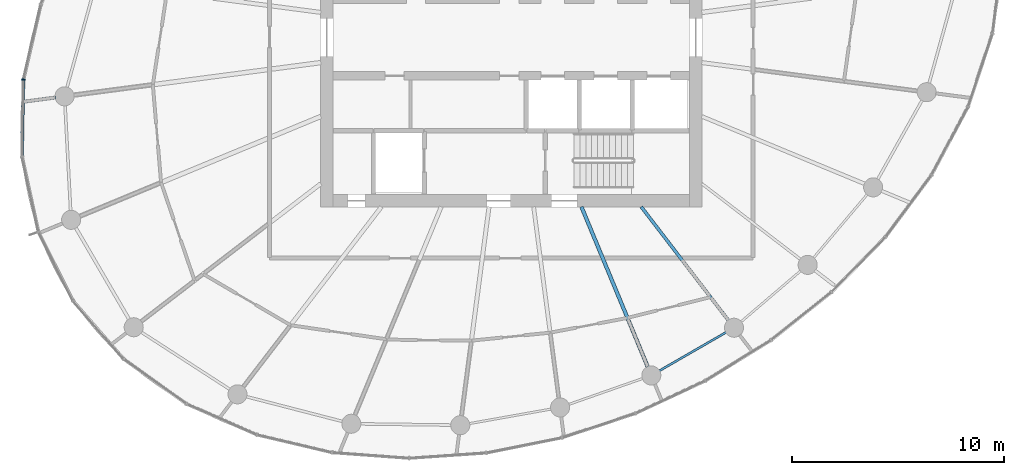
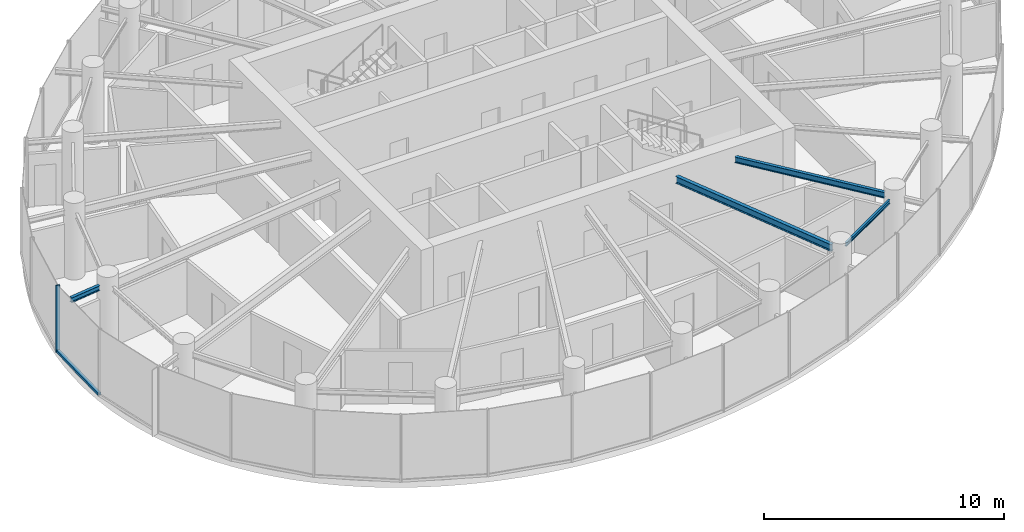
# One storey, part 3 of 14: 4 beams, 2 members, 1 element without a shape of its own.
"""IFC4 building model written with IfcOpenShell, lengths in metres."""

from ifc_helpers import new_model, si_unit, direction, frame, origin, origin_2d, place, context, subcontext, project, spatial, rectangle, i_section, extrude, source, transform, mapped, material, layer, layer_set, material_profile, profile_set, type_object, element, aggregate, save


model = new_model("IFC4")

# Units and contexts
model_context = context("Model", 3, precision=1e-05, world=origin(), true_north=direction((0.0, 1.0)))
body_context = subcontext(model_context, "Body", "Model", "MODEL_VIEW")
ifc_project = project(units=[si_unit("LENGTHUNIT", "METRE"), si_unit("AREAUNIT", "SQUARE_METRE"), si_unit("VOLUMEUNIT", "CUBIC_METRE"), si_unit("PLANEANGLEUNIT", "RADIAN"), si_unit("MASSUNIT", "GRAM", prefix="KILO")], contexts=[model_context])

# Site, building, storey
site_placement = place(None, origin())
site = spatial("IfcSite", under=ifc_project, at=site_placement, CompositionType="ELEMENT")
building_placement = place(site_placement, origin())
building = spatial("IfcBuilding", under=site, at=building_placement, Name="Spindrift Exchange Tower", CompositionType="ELEMENT")
storey_placement = place(building_placement, frame((0.0, 0.0, 226.699951171875)))
storey = spatial("IfcBuildingStorey", under=building, at=storey_placement, Name="L55", CompositionType="ELEMENT", Elevation=226.699951171875)

# Beams
ifc_material_1 = material(Name="Steel Grade 300", Category="steel")
ifc_material_profile_1 = material_profile(ifc_material_1, i_section(OverallWidth=0.1708984375, OverallDepth=0.35205078125, WebThickness=0.0068359375, FlangeThickness=0.009765625, FilletRadius=0.013916015625, at=origin_2d()), Name="360UB44.7")
ifc_profile_set_1 = profile_set([ifc_material_profile_1], Name="Steel Grade 300")
beam_type_1 = type_object("IfcBeamType", Name="Floor Beam 360UB44.7 Steel Grade 300", PredefinedType="BEAM", material=ifc_profile_set_1)
shared_shape_1 = source(origin(), body_context, "Body", "SweptSolid", [
    extrude(i_section(OverallWidth=0.1708984375, OverallDepth=0.35205078125, WebThickness=0.0068359375, FlangeThickness=0.009765625, FilletRadius=0.013916015625, at=origin_2d()), origin(), (0.0, 0.0, 1.0), 8.1748046875),
])
beam_1_placement = place(storey_placement, frame((55.30615234375, 40.0185546875, 3.22412109375), z_axis=(0.382655117626, -0.923891260352, 0.0), x_axis=(0.923891260352, 0.382655117626, 0.0)))
element("IfcBeam", 1, at=beam_1_placement, inside=storey, type_object=beam_type_1, Name="L55 radial beam R20A", PredefinedType="BEAM", context=body_context, shape_type="MappedRepresentation", body=[
    mapped(shared_shape_1, transform((0.0, 0.0, 0.0), scale=1.0)),
])
ifc_material_profile_2 = material_profile(ifc_material_1, i_section(OverallWidth=0.14892578125, OverallDepth=0.298095703125, WebThickness=0.005615234375, FlangeThickness=0.008056640625, FilletRadius=0.012939453125, at=origin_2d()), Name="310UB32.0")
ifc_profile_set_2 = profile_set([ifc_material_profile_2], Name="Steel Grade 300")
beam_type_2 = type_object("IfcBeamType", Name="Floor Beam 310UB32.0 Steel Grade 300", PredefinedType="BEAM", material=ifc_profile_set_2)
shared_shape_2 = source(origin(), body_context, "Body", "SweptSolid", [
    extrude(i_section(OverallWidth=0.14892578125, OverallDepth=0.298095703125, WebThickness=0.005615234375, FlangeThickness=0.008056640625, FilletRadius=0.012939453125, at=origin_2d()), origin(), (0.0, 0.0, 1.0), 6.753173828125),
])
beam_2_placement = place(storey_placement, frame((58.12646484375, 40.015869140625, 3.2509765625), z_axis=(0.608761639459, -0.793353178807, 0.0), x_axis=(0.793353178807, 0.608761639459, 0.0)))
element("IfcBeam", 2, at=beam_2_placement, inside=storey, type_object=beam_type_2, Name="L55 radial beam R21A", PredefinedType="BEAM", context=body_context, shape_type="MappedRepresentation", body=[
    mapped(shared_shape_2, transform((0.0, 0.0, 0.0), scale=1.0)),
])
ifc_material_profile_3 = material_profile(ifc_material_1, i_section(OverallWidth=0.09912109375, OverallDepth=0.197998046875, WebThickness=0.00439453125, FlangeThickness=0.007080078125, FilletRadius=0.010986328125, at=origin_2d()), Name="200UB18.2")
ifc_profile_set_3 = profile_set([ifc_material_profile_3], Name="Steel Grade 300")
beam_type_3 = type_object("IfcBeamType", Name="Edge Beam 200UB18.2 Steel Grade 300", PredefinedType="SPANDREL", material=ifc_profile_set_3)
shared_shape_3 = source(origin(), body_context, "Body", "SweptSolid", [
    extrude(i_section(OverallWidth=0.09912109375, OverallDepth=0.197998046875, WebThickness=0.00439453125, FlangeThickness=0.007080078125, FilletRadius=0.010986328125, at=origin_2d()), origin(), (0.0, 0.0, 1.0), 3.64208984375),
])
beam_3_placement = place(storey_placement, frame((58.971435546875, 32.283447265625, 3.301025390625), z_axis=(0.866364093123, 0.499412913476, 0.0), x_axis=(-0.499412913476, 0.866364093123, 0.0)))
element("IfcBeam", 3, at=beam_3_placement, inside=storey, type_object=beam_type_3, Name="L55 edge beam E20", PredefinedType="SPANDREL", context=body_context, shape_type="MappedRepresentation", body=[
    mapped(shared_shape_3, transform((0.0, 0.0, 0.0), scale=1.0)),
])
ifc_material_profile_4 = material_profile(ifc_material_1, i_section(OverallWidth=0.14599609375, OverallDepth=0.251953125, WebThickness=0.006103515625, FlangeThickness=0.008544921875, FilletRadius=0.011962890625, at=origin_2d()), Name="250UB31.4")
ifc_profile_set_4 = profile_set([ifc_material_profile_4], Name="Steel Grade 300")
beam_type_4 = type_object("IfcBeamType", Name="Cantilever Beam 250UB31.4 Steel Grade 300", PredefinedType="BEAM", material=ifc_profile_set_4)
shared_shape_4 = source(origin(), body_context, "Body", "SweptSolid", [
    extrude(i_section(OverallWidth=0.14599609375, OverallDepth=0.251953125, WebThickness=0.006103515625, FlangeThickness=0.008544921875, FilletRadius=0.011962890625, at=origin_2d()), origin(), (0.0, 0.0, 1.0), 1.505126953125),
])
beam_4_placement = place(storey_placement, frame((30.511474609375, 45.1708984375, 3.274169921875), z_axis=(-0.991458711995, -0.130420943136, 0.0), x_axis=(0.130420943136, -0.991458711995, 0.0)))
element("IfcBeam", 4, at=beam_4_placement, inside=storey, type_object=beam_type_4, Name="L55 cantilever beam R13T", PredefinedType="BEAM", context=body_context, shape_type="MappedRepresentation", body=[
    mapped(shared_shape_4, transform((0.0, 0.0, 0.0), scale=1.0)),
])

# Curtain wall, members
ifc_material_2 = material(Name="Fritted laminated glass with bronze frame", Category="glass")
ifc_layer = layer(ifc_material_2, 0.169921875)
ifc_layer_set = layer_set([ifc_layer], Name="ZONE 4 BRONZE FRITTED WALL")
curtain_wall_type = type_object("IfcCurtainWallType", Name="ZONE 4 BRONZE FRITTED WALL", PredefinedType="NOTDEFINED", material=ifc_layer_set)
curtain_wall_placement = place(storey_placement, origin())
curtain_wall = element("IfcCurtainWall", 5, at=curtain_wall_placement, inside=storey, type_object=curtain_wall_type, Name="L55 Zone 4 Bronze Fritted Wall run 3", PredefinedType="NOTDEFINED")
ifc_material_3 = material(Name="Bronze anodised aluminium", Category="aluminium")
ifc_material_profile_5 = material_profile(ifc_material_3, rectangle(XDim=0.14990234375, YDim=0.125, at=origin_2d()), Name="ZONE 4 BRONZE FRITTED WALL TRANSOM 150X125")
ifc_profile_set_5 = profile_set([ifc_material_profile_5], Name="Bronze anodised aluminium")
member_type_1 = type_object("IfcMemberType", Name="ZONE 4 BRONZE FRITTED WALL TRANSOM 150X125", PredefinedType="USERDEFINED", material=ifc_profile_set_5)
shared_shape_5 = source(origin(), body_context, "Body", "SweptSolid", [
    extrude(rectangle(XDim=0.14990234375, YDim=0.125, at=origin_2d()), origin(), (0.0, 0.0, 1.0), 3.572509765625),
])
member_1_placement = place(storey_placement, frame((28.993408203125, 45.986083984375, 0.0625), z_axis=(-0.019203566784, -0.999815594509, 0.0), x_axis=(0.999815594509, -0.019203566784, 0.0)))
member_1 = element("IfcMember", 6, at=member_1_placement, type_object=member_type_1, Name="L55 transom CW-4.17", ObjectType="TRANSOM", PredefinedType="USERDEFINED", context=body_context, shape_type="MappedRepresentation", body=[
    mapped(shared_shape_5, transform((0.0, 0.0, 0.0), scale=1.0)),
])
ifc_material_profile_6 = material_profile(ifc_material_3, rectangle(XDim=0.06494140625, YDim=0.169921875, at=origin_2d()), Name="ZONE 4 BRONZE FRITTED WALL MULLION 65X170")
ifc_profile_set_6 = profile_set([ifc_material_profile_6], Name="Bronze anodised aluminium")
member_type_2 = type_object("IfcMemberType", Name="ZONE 4 BRONZE FRITTED WALL MULLION 65X170", PredefinedType="MULLION", material=ifc_profile_set_6)
shared_shape_6 = source(origin(), body_context, "Body", "SweptSolid", [
    extrude(rectangle(XDim=0.06494140625, YDim=0.169921875, at=origin_2d()), origin(), (0.0, 0.0, 1.0), 3.400146484375),
])
member_2_placement = place(storey_placement, frame((28.994140625, 46.0185546875, 0.0), z_axis=(0.0, 0.0, 1.0), x_axis=(-0.122780387498, -0.992433865024, 0.0)))
member_2 = element("IfcMember", 7, at=member_2_placement, type_object=member_type_2, Name="L55 mullion CW-4.17", PredefinedType="MULLION", context=body_context, shape_type="MappedRepresentation", body=[
    mapped(shared_shape_6, transform((0.0, 0.0, 0.0), scale=1.0)),
])
aggregate(curtain_wall, [member_2, member_1])

save(model, "model.ifc")
